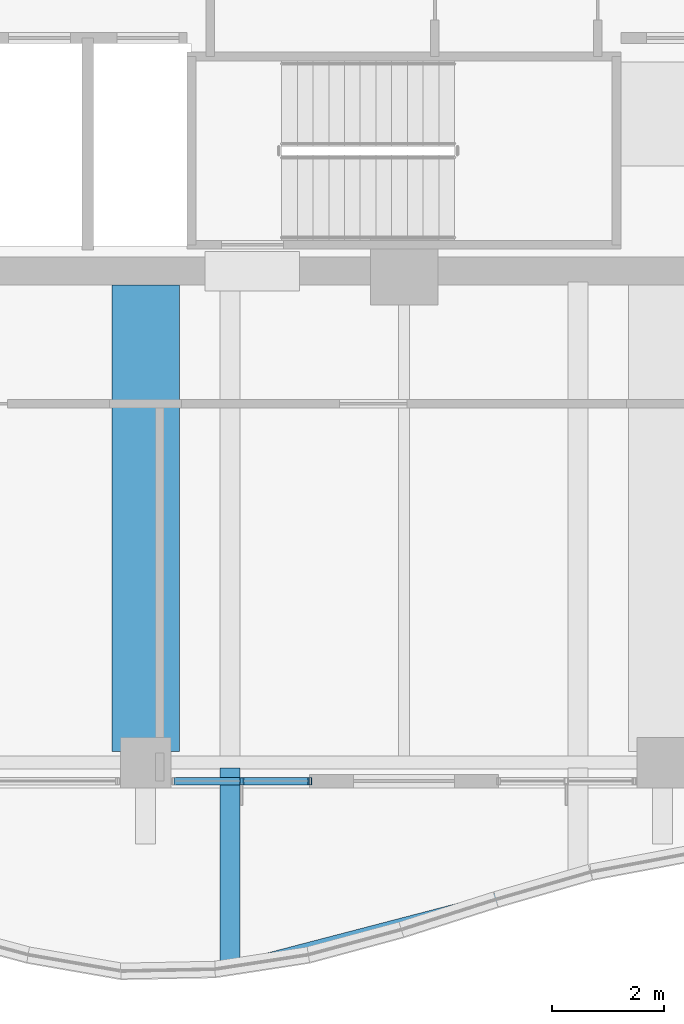
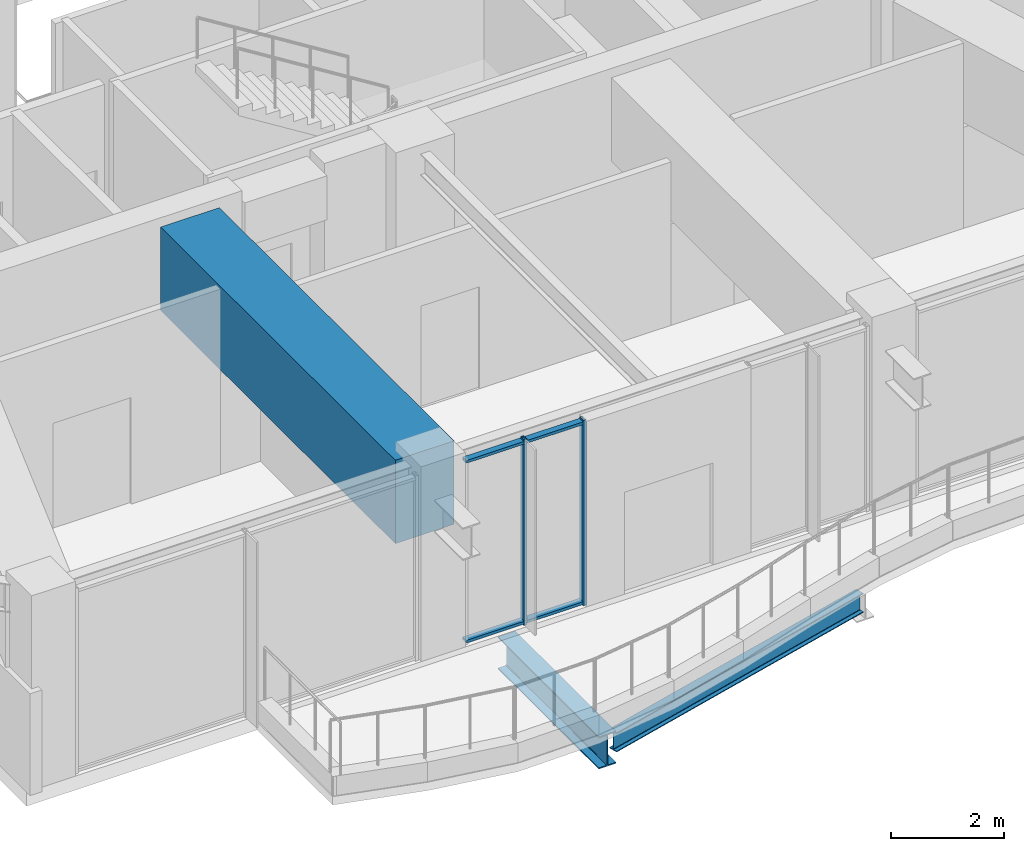
# One storey, part 5 of 33: 4 members, 3 beams, 1 element without a shape of its own.
"""IFC4 building model written with IfcOpenShell, lengths in metres."""

from ifc_helpers import new_model, si_unit, direction, frame, origin, origin_2d, place, context, subcontext, project, spatial, rectangle, hollow_rectangle, i_section, extrude, material, material_profile, profile_set, type_object, element, aggregate, save


model = new_model("IFC4")

# Units and contexts
model_context = context("Model", 3, precision=1e-05, world=origin(), true_north=direction((0.0, 1.0)))
body_context = subcontext(model_context, "Body", "Model", "MODEL_VIEW")
ifc_project = project(units=[si_unit("LENGTHUNIT", "METRE"), si_unit("AREAUNIT", "SQUARE_METRE"), si_unit("VOLUMEUNIT", "CUBIC_METRE"), si_unit("PLANEANGLEUNIT", "RADIAN"), si_unit("MASSUNIT", "GRAM", prefix="KILO")], contexts=[model_context])

# Site, building, storey
site_placement = place(None, origin())
site = spatial("IfcSite", under=ifc_project, at=site_placement, CompositionType="ELEMENT")
building_placement = place(site_placement, origin())
building = spatial("IfcBuilding", under=site, at=building_placement, Name="Kolvaren Belvedere", CompositionType="ELEMENT")
storey_placement = place(building_placement, frame((0.0, 0.0, 152.699951171875)))
storey = spatial("IfcBuildingStorey", under=building, at=storey_placement, Name="L44", CompositionType="ELEMENT", Elevation=152.699951171875)

# Beams
ifc_material_1 = material(Name="Structural steel ASTM A992 Grade 50", Category="steel")
ifc_material_profile_1 = material_profile(ifc_material_1, i_section(OverallWidth=0.35498046875, OverallDepth=0.696044921875, WebThickness=0.015380859375, FlangeThickness=0.02490234375, FilletRadius=0.02197265625, at=origin_2d()), Name="W27X146")
ifc_profile_set_1 = profile_set([ifc_material_profile_1], Name="Structural steel ASTM A992 Grade 50")
beam_type_1 = type_object("IfcBeamType", Name="BM-CANT-BAL", PredefinedType="BEAM", material=ifc_profile_set_1)
beam_1_placement = place(storey_placement, frame((-3.10009765625, -18.7451171875, -0.64794921875), z_axis=(0.0, -1.0, 0.0), x_axis=(1.0, 0.0, 0.0)))
element("IfcBeam", 1, at=beam_1_placement, inside=storey, type_object=beam_type_1, Name="L44 Planted Balcony Cantilever BAL-S-1", PredefinedType="BEAM", context=body_context, shape_type="SweptSolid", body=[
    extrude(i_section(OverallWidth=0.35498046875, OverallDepth=0.696044921875, WebThickness=0.015380859375, FlangeThickness=0.02490234375, FilletRadius=0.02197265625, at=origin_2d()), origin(), (0.0, 0.0, 1.0), 3.560791015625),
])
ifc_material_2 = material(Name="Structural steel ASTM A992 Grade 50", Category="steel")
ifc_material_profile_2 = material_profile(ifc_material_2, i_section(OverallWidth=0.180908203125, OverallDepth=0.4169921875, WebThickness=0.010986328125, FlangeThickness=0.018310546875, FilletRadius=0.013916015625, at=origin_2d()), Name="W16X57")
ifc_profile_set_2 = profile_set([ifc_material_profile_2], Name="Structural steel ASTM A992 Grade 50")
beam_type_2 = type_object("IfcBeamType", Name="BM-EDGE-W16X57", PredefinedType="BEAM", material=ifc_profile_set_2)
beam_2_placement = place(storey_placement, frame((-2.964599609375, -22.2705078125, -0.508544921875), z_axis=(0.9675537799, 0.25266515985, 0.0), x_axis=(-0.25266515985, 0.9675537799, 0.0)))
element("IfcBeam", 2, at=beam_2_placement, inside=storey, type_object=beam_type_2, Name="L44 Balcony Tip Header Beam BAL-S", PredefinedType="BEAM", context=body_context, shape_type="SweptSolid", body=[
    extrude(i_section(OverallWidth=0.180908203125, OverallDepth=0.4169921875, WebThickness=0.010986328125, FlangeThickness=0.018310546875, FilletRadius=0.013916015625, at=origin_2d()), origin(), (0.0, 0.0, 1.0), 6.1279296875),
])
ifc_material_3 = material(Name="Concrete C50/60", Category="concrete")
ifc_material_profile_3 = material_profile(ifc_material_3, rectangle(XDim=1.199951171875, YDim=1.800048828125, at=origin_2d()), Name="RC 1200X1800")
ifc_profile_set_3 = profile_set([ifc_material_profile_3], Name="Concrete C50/60")
beam_type_3 = type_object("IfcBeamType", Name="BM-TG-1800", PredefinedType="BEAM", material=ifc_profile_set_3)
beam_3_placement = place(storey_placement, frame((-4.60009765625, -10.14990234375, 3.10009765625), z_axis=(0.0, -1.0, 0.0), x_axis=(1.0, 0.0, 0.0)))
element("IfcBeam", 3, at=beam_3_placement, inside=storey, type_object=beam_type_3, Name="L44 South Radial Girder M", PredefinedType="BEAM", context=body_context, shape_type="SweptSolid", body=[
    extrude(rectangle(XDim=1.199951171875, YDim=1.800048828125, at=origin_2d()), origin(), (0.0, 0.0, 1.0), 8.297607421875),
])

# Curtain wall, members
ifc_material_4 = material(Name="Anodised pale-metal aluminium AA 6063-T6", Category="aluminium")
curtain_wall_type = type_object("IfcCurtainWallType", Name="CW-Z3-WAIST", PredefinedType="NOTDEFINED", material=ifc_material_4)
curtain_wall_placement = place(storey_placement, origin())
curtain_wall = element("IfcCurtainWall", 4, at=curtain_wall_placement, inside=storey, type_object=curtain_wall_type, Name="L44 Unitised Curtain Wall FCW-L44-S2-B1", PredefinedType="NOTDEFINED")
ifc_material_5 = material(Name="Anodised pale-metal aluminium AA 6063-T6", Category="aluminium")
ifc_material_profile_4 = material_profile(ifc_material_5, hollow_rectangle(XDim=0.06494140625, YDim=0.1298828125, WallThickness=0.00390625, at=origin_2d()), Name="ALU-MUL-130X65")
ifc_profile_set_4 = profile_set([ifc_material_profile_4], Name="Anodised pale-metal aluminium AA 6063-T6")
member_type_1 = type_object("IfcMemberType", Name="CW-MUL-130", PredefinedType="MULLION", material=ifc_profile_set_4)
member_1_placement = place(storey_placement, frame((-1.679931640625, -18.97998046875, 0.0), z_axis=(0.0, 0.0, 1.0), x_axis=(1.0, 0.0, 0.0)))
member_1 = element("IfcMember", 5, at=member_1_placement, type_object=member_type_1, Name="FCW-L44-S2-B1 Unitised Mullion 1", PredefinedType="MULLION", context=body_context, shape_type="SweptSolid", body=[
    extrude(hollow_rectangle(XDim=0.06494140625, YDim=0.1298828125, WallThickness=0.00390625, at=origin_2d()), origin(), (0.0, 0.0, 1.0), 4.0),
])
member_2_placement = place(storey_placement, frame((-2.888671875, -18.97998046875, 0.0), z_axis=(0.0, 0.0, 1.0), x_axis=(1.0, 0.0, 0.0)))
member_2 = element("IfcMember", 6, at=member_2_placement, type_object=member_type_1, Name="FCW-L44-S2-B1 Unitised Mullion 2", PredefinedType="MULLION", context=body_context, shape_type="SweptSolid", body=[
    extrude(hollow_rectangle(XDim=0.06494140625, YDim=0.1298828125, WallThickness=0.00390625, at=origin_2d()), origin(), (0.0, 0.0, 1.0), 4.0),
])
ifc_material_6 = material(Name="Anodised pale-metal aluminium AA 6063-T6", Category="aluminium")
ifc_material_profile_5 = material_profile(ifc_material_6, hollow_rectangle(XDim=0.06005859375, YDim=0.1298828125, WallThickness=0.00390625, at=origin_2d()), Name="ALU-TRN-130X60")
ifc_profile_set_5 = profile_set([ifc_material_profile_5], Name="Anodised pale-metal aluminium AA 6063-T6")
member_type_2 = type_object("IfcMemberType", Name="CW-TRN-130", PredefinedType="USERDEFINED", material=ifc_profile_set_5)
member_3_placement = place(storey_placement, frame((-1.679931640625, -18.97998046875, 0.06005859375), z_axis=(-1.0, 0.0, 0.0), x_axis=(0.0, 0.0, 1.0)))
member_3 = element("IfcMember", 7, at=member_3_placement, type_object=member_type_2, Name="FCW-L44-S2-B1 Sill Transom", ObjectType="TRANSOM", PredefinedType="USERDEFINED", context=body_context, shape_type="SweptSolid", body=[
    extrude(hollow_rectangle(XDim=0.06005859375, YDim=0.1298828125, WallThickness=0.00390625, at=origin_2d()), origin(), (0.0, 0.0, 1.0), 2.41748046875),
])
member_4_placement = place(storey_placement, frame((-1.679931640625, -18.97998046875, 3.93994140625), z_axis=(-1.0, 0.0, 0.0), x_axis=(0.0, 0.0, 1.0)))
member_4 = element("IfcMember", 8, at=member_4_placement, type_object=member_type_2, Name="FCW-L44-S2-B1 Head Transom", ObjectType="TRANSOM", PredefinedType="USERDEFINED", context=body_context, shape_type="SweptSolid", body=[
    extrude(hollow_rectangle(XDim=0.06005859375, YDim=0.1298828125, WallThickness=0.00390625, at=origin_2d()), origin(), (0.0, 0.0, 1.0), 2.41748046875),
])
aggregate(curtain_wall, [member_1, member_2, member_3, member_4])

save(model, "model.ifc")
